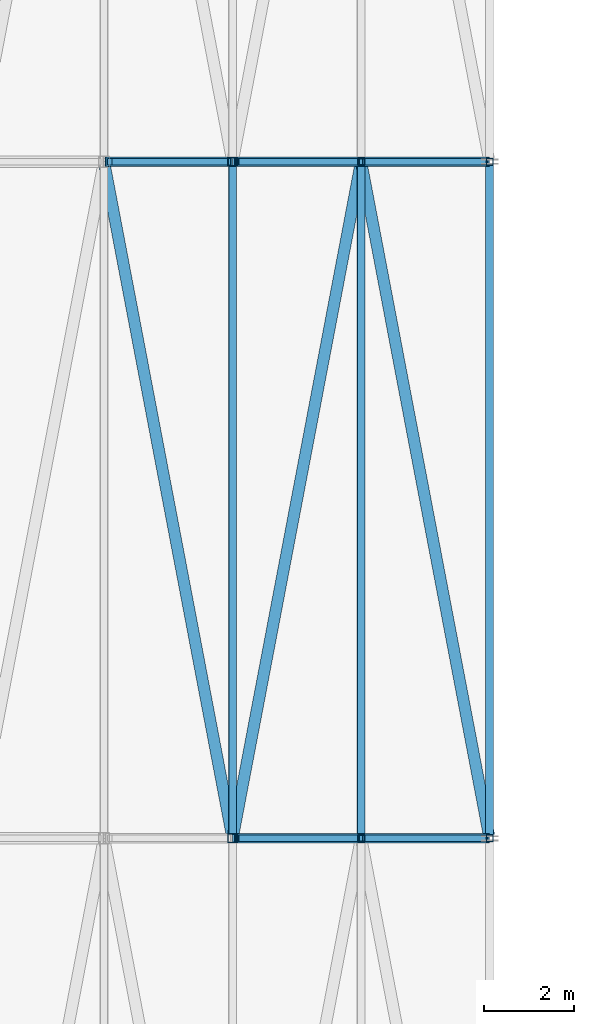
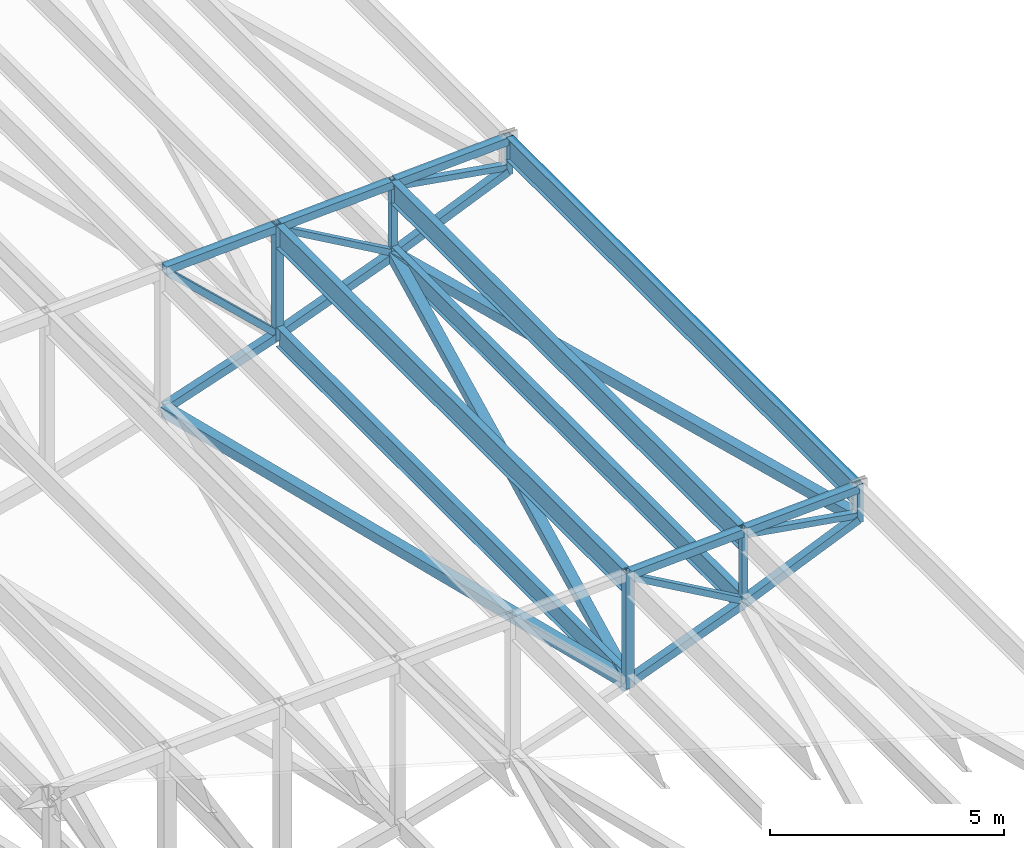
# One storey, part 40 of 278: 16 beams, 13 members.
"""IFC4 building model written with IfcOpenShell, lengths in metres."""

from ifc_helpers import new_model, si_unit, direction, frame, origin, origin_2d, place, context, subcontext, project, spatial, hollow_rectangle, i_section, extrude, material, material_profile, profile_set, type_object, element, save


model = new_model("IFC4")

# Units and contexts
model_context = context("Model", 3, precision=1e-05, world=origin(), true_north=direction((0.0, 1.0)))
body_context = subcontext(model_context, "Body", "Model", "MODEL_VIEW")
ifc_project = project(units=[si_unit("LENGTHUNIT", "METRE"), si_unit("AREAUNIT", "SQUARE_METRE"), si_unit("VOLUMEUNIT", "CUBIC_METRE"), si_unit("PLANEANGLEUNIT", "RADIAN"), si_unit("MASSUNIT", "GRAM", prefix="KILO")], contexts=[model_context])

# Site, building, storey
site_placement = place(None, origin())
site = spatial("IfcSite", under=ifc_project, at=site_placement, CompositionType="ELEMENT")
building_placement = place(site_placement, origin())
building = spatial("IfcBuilding", under=site, at=building_placement, Name="Ogive Plaza Stadium", CompositionType="ELEMENT")
storey_placement = place(building_placement, frame((0.0, 0.0, 29.0)))
storey = spatial("IfcBuildingStorey", under=building, at=storey_placement, Name="Roof", CompositionType="ELEMENT", Elevation=29.0)

# Members
ifc_material_1 = material(Name="Steel ASTM A500 Grade C", Category="steel")
ifc_material_profile_1 = material_profile(ifc_material_1, hollow_rectangle(XDim=0.25390625, YDim=0.25390625, WallThickness=0.0087890625, at=origin_2d()), Name="HSS10X10X3/8")
ifc_profile_set_1 = profile_set([ifc_material_profile_1], Name="Steel ASTM A500 Grade C")
member_type_1 = type_object("IfcMemberType", Name="Roof plan brace HSS10X10X3/8", PredefinedType="BRACE", material=ifc_profile_set_1)
member_1_placement = place(storey_placement, frame((-45.513427734375, -7.4296875, 6.520751953125), z_axis=(-0.1860644689, 0.979300227871, -0.079693645318), x_axis=(-0.982424925297, -0.186658153196, 0.0)))
element("IfcMember", 1, at=member_1_placement, inside=storey, type_object=member_type_1, Name="ROOF BRACE B24 1", PredefinedType="BRACE", context=body_context, shape_type="SweptSolid", body=[
    extrude(hollow_rectangle(XDim=0.25390625, YDim=0.25390625, WallThickness=0.0087890625, at=origin_2d()), origin(), (0.0, 0.0, 1.0), 15.173583984375),
])
member_2_placement = place(storey_placement, frame((-48.36328125, 7.4296875, 5.30078125), z_axis=(-0.18619699352, -0.979917118172, -0.071366106221), x_axis=(0.982422109195, -0.186672974385, 0.0)))
element("IfcMember", 2, at=member_2_placement, inside=storey, type_object=member_type_1, Name="ROOF BRACE B24 2", PredefinedType="BRACE", context=body_context, shape_type="SweptSolid", body=[
    extrude(hollow_rectangle(XDim=0.25390625, YDim=0.25390625, WallThickness=0.0087890625, at=origin_2d()), origin(), (0.0, 0.0, 1.0), 15.1376953125),
])
member_3_placement = place(storey_placement, frame((-51.21826171875, -7.404052734375, 4.20751953125), z_axis=(-0.186305134019, 0.980575459807, -0.061336487198), x_axis=(-0.982425223956, -0.186656581279, 0.0)))
element("IfcMember", 3, at=member_3_placement, inside=storey, type_object=member_type_1, Name="ROOF BRACE B24 3", PredefinedType="BRACE", context=body_context, shape_type="SweptSolid", body=[
    extrude(hollow_rectangle(XDim=0.25390625, YDim=0.25390625, WallThickness=0.0087890625, at=origin_2d()), origin(), (0.0, 0.0, 1.0), 15.1015625),
])
ifc_material_2 = material(Name="Steel ASTM A992 Grade 50", Category="steel")
ifc_material_profile_2 = material_profile(ifc_material_2, i_section(OverallWidth=0.1650390625, OverallDepth=0.524658203125, WebThickness=0.0087890625, FlangeThickness=0.011474609375, at=origin_2d()), Name="W21X44")
ifc_profile_set_2 = profile_set([ifc_material_profile_2], Name="Steel ASTM A992 Grade 50")
member_type_2 = type_object("IfcMemberType", Name="Roof plan strut W21X44", PredefinedType="STRUT", material=ifc_profile_set_2)
member_4_placement = place(storey_placement, frame((-48.35009765625, -7.453857421875, 5.305908203125), z_axis=(0.0, 1.0, 0.0), x_axis=(-1.0, 0.0, 0.0)))
element("IfcMember", 4, at=member_4_placement, inside=storey, type_object=member_type_2, Name="ROOF STRUT B24 1", PredefinedType="STRUT", context=body_context, shape_type="SweptSolid", body=[
    extrude(i_section(OverallWidth=0.1650390625, OverallDepth=0.524658203125, WebThickness=0.0087890625, FlangeThickness=0.011474609375, at=origin_2d()), origin(), (0.0, 0.0, 1.0), 14.90771484375),
])
member_5_placement = place(storey_placement, frame((-51.199951171875, -7.428466796875, 4.213623046875), z_axis=(0.0, 1.0, 0.0), x_axis=(-1.0, 0.0, 0.0)))
element("IfcMember", 5, at=member_5_placement, inside=storey, type_object=member_type_2, Name="ROOF STRUT B24 2", PredefinedType="STRUT", context=body_context, shape_type="SweptSolid", body=[
    extrude(i_section(OverallWidth=0.1650390625, OverallDepth=0.524658203125, WebThickness=0.0087890625, FlangeThickness=0.011474609375, at=origin_2d()), origin(), (0.0, 0.0, 1.0), 14.85693359375),
])
ifc_material_3 = material(Name="Steel ASTM A992 Grade 50", Category="steel")
ifc_material_profile_3 = material_profile(ifc_material_3, i_section(OverallWidth=0.177978515625, OverallDepth=0.5986328125, WebThickness=0.010009765625, FlangeThickness=0.012939453125, at=origin_2d()), Name="W24X55")
ifc_profile_set_3 = profile_set([ifc_material_profile_3], Name="Steel ASTM A992 Grade 50")
member_type_3 = type_object("IfcMemberType", Name="Roof purlin W24X55", PredefinedType="PURLIN", material=ifc_profile_set_3)
member_6_placement = place(storey_placement, frame((-48.35009765625, -7.453857421875, 6.983154296875), z_axis=(0.0, 1.0, 0.0), x_axis=(-1.0, 0.0, 0.0)))
element("IfcMember", 6, at=member_6_placement, inside=storey, type_object=member_type_3, Name="ROOF PURLIN B24 1", PredefinedType="PURLIN", context=body_context, shape_type="SweptSolid", body=[
    extrude(i_section(OverallWidth=0.177978515625, OverallDepth=0.5986328125, WebThickness=0.010009765625, FlangeThickness=0.012939453125, at=origin_2d()), origin(), (0.0, 0.0, 1.0), 14.90771484375),
])
member_7_placement = place(storey_placement, frame((-51.199951171875, -7.428466796875, 6.840576171875), z_axis=(0.0, 1.0, 0.0), x_axis=(-1.0, 0.0, 0.0)))
element("IfcMember", 7, at=member_7_placement, inside=storey, type_object=member_type_3, Name="ROOF PURLIN B24 2", PredefinedType="PURLIN", context=body_context, shape_type="SweptSolid", body=[
    extrude(i_section(OverallWidth=0.177978515625, OverallDepth=0.5986328125, WebThickness=0.010009765625, FlangeThickness=0.012939453125, at=origin_2d()), origin(), (0.0, 0.0, 1.0), 14.85693359375),
])
ifc_material_4 = material(Name="Steel ASTM A992 Grade 50", Category="steel")
ifc_material_profile_4 = material_profile(ifc_material_4, i_section(OverallWidth=0.177978515625, OverallDepth=0.5986328125, WebThickness=0.010009765625, FlangeThickness=0.012939453125, at=origin_2d()), Name="W24X55")
ifc_profile_set_4 = profile_set([ifc_material_profile_4], Name="Steel ASTM A992 Grade 50")
member_type_4 = type_object("IfcMemberType", Name="Roof tip ring beam W24X55", PredefinedType="MEMBER", material=ifc_profile_set_4)
member_8_placement = place(storey_placement, frame((-45.5, -7.453857421875, 7.125732421875), z_axis=(0.0, 1.0, 0.0), x_axis=(-1.0, 0.0, 0.0)))
element("IfcMember", 8, at=member_8_placement, inside=storey, type_object=member_type_4, Name="RING BEAM B24", PredefinedType="MEMBER", context=body_context, shape_type="SweptSolid", body=[
    extrude(i_section(OverallWidth=0.177978515625, OverallDepth=0.5986328125, WebThickness=0.010009765625, FlangeThickness=0.012939453125, at=origin_2d()), origin(), (0.0, 0.0, 1.0), 14.90771484375),
])

# Beams
ifc_material_5 = material(Name="Steel ASTM A500 Grade C", Category="steel")
ifc_material_profile_5 = material_profile(ifc_material_5, hollow_rectangle(XDim=0.203125, YDim=0.203125, WallThickness=0.01171875, at=origin_2d()), Name="HSS8X8X1/2")
ifc_profile_set_5 = profile_set([ifc_material_profile_5], Name="Steel ASTM A500 Grade C")
beam_type_1 = type_object("IfcBeamType", Name="Roof truss bottom chord HSS8X8X1/2", PredefinedType="BEAM", material=ifc_profile_set_5)
beam_1_placement = place(storey_placement, frame((-45.5400390625, -7.5, 6.518310546875), z_axis=(-0.919215459426, 0.0, -0.393754922702), x_axis=(0.0, -1.0, 0.0)))
element("IfcBeam", 9, at=beam_1_placement, inside=storey, type_object=beam_type_1, Name="ROOF TRUSS T24 BOTTOM CHORD 1", PredefinedType="BEAM", context=body_context, shape_type="SweptSolid", body=[
    extrude(hollow_rectangle(XDim=0.203125, YDim=0.203125, WallThickness=0.01171875, at=origin_2d()), origin(), (0.0, 0.0, 1.0), 3.04736328125),
])
beam_2_placement = place(storey_placement, frame((-48.386474609375, -7.5, 5.299072265625), z_axis=(-0.933780874892, 0.0, -0.357845326484), x_axis=(0.0, -1.0, 0.0)))
element("IfcBeam", 10, at=beam_2_placement, inside=storey, type_object=beam_type_1, Name="ROOF TRUSS T24 BOTTOM CHORD 2", PredefinedType="BEAM", context=body_context, shape_type="SweptSolid", body=[
    extrude(hollow_rectangle(XDim=0.203125, YDim=0.203125, WallThickness=0.01171875, at=origin_2d()), origin(), (0.0, 0.0, 1.0), 2.97314453125),
])
beam_3_placement = place(storey_placement, frame((-45.5400390625, 7.5, 6.518310546875), z_axis=(-0.919215459426, 0.0, -0.393754922702), x_axis=(0.0, -1.0, 0.0)))
element("IfcBeam", 11, at=beam_3_placement, inside=storey, type_object=beam_type_1, Name="ROOF TRUSS T25 BOTTOM CHORD 1", PredefinedType="BEAM", context=body_context, shape_type="SweptSolid", body=[
    extrude(hollow_rectangle(XDim=0.203125, YDim=0.203125, WallThickness=0.01171875, at=origin_2d()), origin(), (0.0, 0.0, 1.0), 3.04736328125),
])
beam_4_placement = place(storey_placement, frame((-48.386474609375, 7.5, 5.299072265625), z_axis=(-0.933780874892, 0.0, -0.357845326484), x_axis=(0.0, -1.0, 0.0)))
element("IfcBeam", 12, at=beam_4_placement, inside=storey, type_object=beam_type_1, Name="ROOF TRUSS T25 BOTTOM CHORD 2", PredefinedType="BEAM", context=body_context, shape_type="SweptSolid", body=[
    extrude(hollow_rectangle(XDim=0.203125, YDim=0.203125, WallThickness=0.01171875, at=origin_2d()), origin(), (0.0, 0.0, 1.0), 2.97314453125),
])
beam_5_placement = place(storey_placement, frame((-51.24072265625, 7.5, 4.20556640625), z_axis=(-0.947299736415, 0.0, -0.320348574817), x_axis=(0.0, -1.0, 0.0)))
element("IfcBeam", 13, at=beam_5_placement, inside=storey, type_object=beam_type_1, Name="ROOF TRUSS T25 BOTTOM CHORD 3", PredefinedType="BEAM", context=body_context, shape_type="SweptSolid", body=[
    extrude(hollow_rectangle(XDim=0.203125, YDim=0.203125, WallThickness=0.01171875, at=origin_2d()), origin(), (0.0, 0.0, 1.0), 2.912841796875),
])

# Members
ifc_material_6 = material(Name="Steel ASTM A500 Grade C", Category="steel")
ifc_material_profile_6 = material_profile(ifc_material_6, hollow_rectangle(XDim=0.15234375, YDim=0.15234375, WallThickness=0.005859375, at=origin_2d()), Name="HSS6X6X1/4")
ifc_profile_set_6 = profile_set([ifc_material_profile_6], Name="Steel ASTM A500 Grade C")
member_type_5 = type_object("IfcMemberType", Name="Roof truss diagonal HSS6X6X1/4", PredefinedType="BRACE", material=ifc_profile_set_6)
member_9_placement = place(storey_placement, frame((-45.576171875, -7.5, 6.628173828125), z_axis=(-0.986299671123, 0.0, 0.164963507307), x_axis=(0.0, -1.0, 0.0)))
element("IfcMember", 14, at=member_9_placement, inside=storey, type_object=member_type_5, Name="ROOF TRUSS T24 DIAGONAL 1", PredefinedType="BRACE", context=body_context, shape_type="SweptSolid", body=[
    extrude(hollow_rectangle(XDim=0.15234375, YDim=0.15234375, WallThickness=0.005859375, at=origin_2d()), origin(), (0.0, 0.0, 1.0), 2.73486328125),
])
member_10_placement = place(storey_placement, frame((-48.42626953125, -7.5, 5.407470703125), z_axis=(-0.8679111184, 0.0, 0.496719529069), x_axis=(0.0, -1.0, 0.0)))
element("IfcMember", 15, at=member_10_placement, inside=storey, type_object=member_type_5, Name="ROOF TRUSS T24 DIAGONAL 2", PredefinedType="BRACE", context=body_context, shape_type="SweptSolid", body=[
    extrude(hollow_rectangle(XDim=0.15234375, YDim=0.15234375, WallThickness=0.005859375, at=origin_2d()), origin(), (0.0, 0.0, 1.0), 3.078857421875),
])
member_11_placement = place(storey_placement, frame((-45.576171875, 7.5, 6.628173828125), z_axis=(-0.986299671123, 0.0, 0.164963507307), x_axis=(0.0, -1.0, 0.0)))
element("IfcMember", 16, at=member_11_placement, inside=storey, type_object=member_type_5, Name="ROOF TRUSS T25 DIAGONAL 1", PredefinedType="BRACE", context=body_context, shape_type="SweptSolid", body=[
    extrude(hollow_rectangle(XDim=0.15234375, YDim=0.15234375, WallThickness=0.005859375, at=origin_2d()), origin(), (0.0, 0.0, 1.0), 2.73486328125),
])
member_12_placement = place(storey_placement, frame((-48.42626953125, 7.5, 5.407470703125), z_axis=(-0.8679111184, 0.0, 0.496719529069), x_axis=(0.0, -1.0, 0.0)))
element("IfcMember", 17, at=member_12_placement, inside=storey, type_object=member_type_5, Name="ROOF TRUSS T25 DIAGONAL 2", PredefinedType="BRACE", context=body_context, shape_type="SweptSolid", body=[
    extrude(hollow_rectangle(XDim=0.15234375, YDim=0.15234375, WallThickness=0.005859375, at=origin_2d()), origin(), (0.0, 0.0, 1.0), 3.078857421875),
])
ifc_material_7 = material(Name="Steel ASTM A500 Grade C", Category="steel")
ifc_material_profile_7 = material_profile(ifc_material_7, hollow_rectangle(XDim=0.15234375, YDim=0.15234375, WallThickness=0.0087890625, at=origin_2d()), Name="HSS6X6X3/8")
ifc_profile_set_7 = profile_set([ifc_material_profile_7], Name="Steel ASTM A500 Grade C")
member_type_6 = type_object("IfcMemberType", Name="Roof truss diagonal HSS6X6X3/8", PredefinedType="BRACE", material=ifc_profile_set_7)
member_13_placement = place(storey_placement, frame((-51.301513671875, 7.5, 4.315185546875), z_axis=(-0.726588919749, 0.0, 0.687072442832), x_axis=(0.0, -1.0, 0.0)))
element("IfcMember", 18, at=member_13_placement, inside=storey, type_object=member_type_6, Name="ROOF TRUSS T25 DIAGONAL 3", PredefinedType="BRACE", context=body_context, shape_type="SweptSolid", body=[
    extrude(hollow_rectangle(XDim=0.15234375, YDim=0.15234375, WallThickness=0.0087890625, at=origin_2d()), origin(), (0.0, 0.0, 1.0), 3.608154296875),
])

# Beams
ifc_material_8 = material(Name="Steel ASTM A500 Grade C", Category="steel")
ifc_material_profile_8 = material_profile(ifc_material_8, hollow_rectangle(XDim=0.15234375, YDim=0.15234375, WallThickness=0.0087890625, at=origin_2d()), Name="HSS6X6X3/8")
ifc_profile_set_8 = profile_set([ifc_material_profile_8], Name="Steel ASTM A500 Grade C")
beam_type_2 = type_object("IfcBeamType", Name="Roof truss post HSS6X6X3/8", PredefinedType="BEAM", material=ifc_profile_set_8)
beam_6_placement = place(storey_placement, frame((-45.5, -7.5, 6.425048828125), z_axis=(0.0, 0.0, 1.0), x_axis=(0.0, -1.0, 0.0)))
element("IfcBeam", 19, at=beam_6_placement, inside=storey, type_object=beam_type_2, Name="ROOF TRUSS T24 POST 1", PredefinedType="BEAM", context=body_context, shape_type="SweptSolid", body=[
    extrude(hollow_rectangle(XDim=0.15234375, YDim=0.15234375, WallThickness=0.0087890625, at=origin_2d()), origin(), (0.0, 0.0, 1.0), 1.0),
])
beam_7_placement = place(storey_placement, frame((-48.35009765625, -7.5, 5.204345703125), z_axis=(0.0, 0.0, 1.0), x_axis=(0.0, -1.0, 0.0)))
element("IfcBeam", 20, at=beam_7_placement, inside=storey, type_object=beam_type_2, Name="ROOF TRUSS T24 POST 2", PredefinedType="BEAM", context=body_context, shape_type="SweptSolid", body=[
    extrude(hollow_rectangle(XDim=0.15234375, YDim=0.15234375, WallThickness=0.0087890625, at=origin_2d()), origin(), (0.0, 0.0, 1.0), 2.078125),
])
beam_8_placement = place(storey_placement, frame((-45.5, 7.5, 6.425048828125), z_axis=(0.0, 0.0, 1.0), x_axis=(0.0, -1.0, 0.0)))
element("IfcBeam", 21, at=beam_8_placement, inside=storey, type_object=beam_type_2, Name="ROOF TRUSS T25 POST 1", PredefinedType="BEAM", context=body_context, shape_type="SweptSolid", body=[
    extrude(hollow_rectangle(XDim=0.15234375, YDim=0.15234375, WallThickness=0.0087890625, at=origin_2d()), origin(), (0.0, 0.0, 1.0), 1.0),
])
beam_9_placement = place(storey_placement, frame((-48.35009765625, 7.5, 5.204345703125), z_axis=(0.0, 0.0, 1.0), x_axis=(0.0, -1.0, 0.0)))
element("IfcBeam", 22, at=beam_9_placement, inside=storey, type_object=beam_type_2, Name="ROOF TRUSS T25 POST 2", PredefinedType="BEAM", context=body_context, shape_type="SweptSolid", body=[
    extrude(hollow_rectangle(XDim=0.15234375, YDim=0.15234375, WallThickness=0.0087890625, at=origin_2d()), origin(), (0.0, 0.0, 1.0), 2.078125),
])
ifc_material_9 = material(Name="Steel ASTM A500 Grade C", Category="steel")
ifc_material_profile_9 = material_profile(ifc_material_9, hollow_rectangle(XDim=0.203125, YDim=0.203125, WallThickness=0.0087890625, at=origin_2d()), Name="HSS8X8X3/8")
ifc_profile_set_9 = profile_set([ifc_material_profile_9], Name="Steel ASTM A500 Grade C")
beam_type_3 = type_object("IfcBeamType", Name="Roof truss post HSS8X8X3/8", PredefinedType="BEAM", material=ifc_profile_set_9)
for number, where, z_axis, x_axis, name in (
    (23, (-51.199951171875, -7.5, 4.112060546875), (0.0, 0.0, 1.0), (0.0, -1.0, 0.0), "ROOF TRUSS T24 POST 3"),
    (24, (-51.199951171875, 7.5, 4.112060546875), (0.0, 0.0, 1.0), (0.0, -1.0, 0.0), "ROOF TRUSS T25 POST 3"),
):
    element("IfcBeam", number, at=place(storey_placement, frame(where, z_axis=z_axis, x_axis=x_axis)), inside=storey, type_object=beam_type_3, Name=name, PredefinedType="BEAM", context=body_context, shape_type="SweptSolid", body=[
        extrude(hollow_rectangle(XDim=0.203125, YDim=0.203125, WallThickness=0.0087890625, at=origin_2d()), origin(), (0.0, 0.0, 1.0), 3.02783203125),
    ])
ifc_material_10 = material(Name="Steel ASTM A500 Grade C", Category="steel")
ifc_material_profile_10 = material_profile(ifc_material_10, hollow_rectangle(XDim=0.203125, YDim=0.203125, WallThickness=0.0087890625, at=origin_2d()), Name="HSS8X8X3/8")
ifc_profile_set_10 = profile_set([ifc_material_profile_10], Name="Steel ASTM A500 Grade C")
beam_type_4 = type_object("IfcBeamType", Name="Roof truss top chord HSS8X8X3/8", PredefinedType="BEAM", material=ifc_profile_set_10)
beam_10_placement = place(storey_placement, frame((-45.541259765625, -7.5, 7.3212890625), z_axis=(-0.998751459876, 0.0, -0.049955193873), x_axis=(0.0, -1.0, 0.0)))
element("IfcBeam", 25, at=beam_10_placement, inside=storey, type_object=beam_type_4, Name="ROOF TRUSS T24 TOP CHORD 1", PredefinedType="BEAM", context=body_context, shape_type="SweptSolid", body=[
    extrude(hollow_rectangle(XDim=0.203125, YDim=0.203125, WallThickness=0.0087890625, at=origin_2d()), origin(), (0.0, 0.0, 1.0), 2.77099609375),
])
beam_11_placement = place(storey_placement, frame((-48.39111328125, -7.5, 7.1787109375), z_axis=(-0.998752338878, 0.0, -0.049937616944), x_axis=(0.0, -1.0, 0.0)))
element("IfcBeam", 26, at=beam_11_placement, inside=storey, type_object=beam_type_4, Name="ROOF TRUSS T24 TOP CHORD 2", PredefinedType="BEAM", context=body_context, shape_type="SweptSolid", body=[
    extrude(hollow_rectangle(XDim=0.203125, YDim=0.203125, WallThickness=0.0087890625, at=origin_2d()), origin(), (0.0, 0.0, 1.0), 2.76220703125),
])
beam_12_placement = place(storey_placement, frame((-45.541259765625, 7.5, 7.3212890625), z_axis=(-0.998751459876, 0.0, -0.049955193873), x_axis=(0.0, -1.0, 0.0)))
element("IfcBeam", 27, at=beam_12_placement, inside=storey, type_object=beam_type_4, Name="ROOF TRUSS T25 TOP CHORD 1", PredefinedType="BEAM", context=body_context, shape_type="SweptSolid", body=[
    extrude(hollow_rectangle(XDim=0.203125, YDim=0.203125, WallThickness=0.0087890625, at=origin_2d()), origin(), (0.0, 0.0, 1.0), 2.77099609375),
])
beam_13_placement = place(storey_placement, frame((-48.39111328125, 7.5, 7.1787109375), z_axis=(-0.998752338878, 0.0, -0.049937616944), x_axis=(0.0, -1.0, 0.0)))
element("IfcBeam", 28, at=beam_13_placement, inside=storey, type_object=beam_type_4, Name="ROOF TRUSS T25 TOP CHORD 2", PredefinedType="BEAM", context=body_context, shape_type="SweptSolid", body=[
    extrude(hollow_rectangle(XDim=0.203125, YDim=0.203125, WallThickness=0.0087890625, at=origin_2d()), origin(), (0.0, 0.0, 1.0), 2.76220703125),
])
beam_14_placement = place(storey_placement, frame((-51.25, 7.5, 7.035888671875), z_axis=(-0.998748798523, 0.0, -0.05000837379), x_axis=(0.0, -1.0, 0.0)))
element("IfcBeam", 29, at=beam_14_placement, inside=storey, type_object=beam_type_4, Name="ROOF TRUSS T25 TOP CHORD 3", PredefinedType="BEAM", context=body_context, shape_type="SweptSolid", body=[
    extrude(hollow_rectangle(XDim=0.203125, YDim=0.203125, WallThickness=0.0087890625, at=origin_2d()), origin(), (0.0, 0.0, 1.0), 2.75341796875),
])

save(model, "model.ifc")
